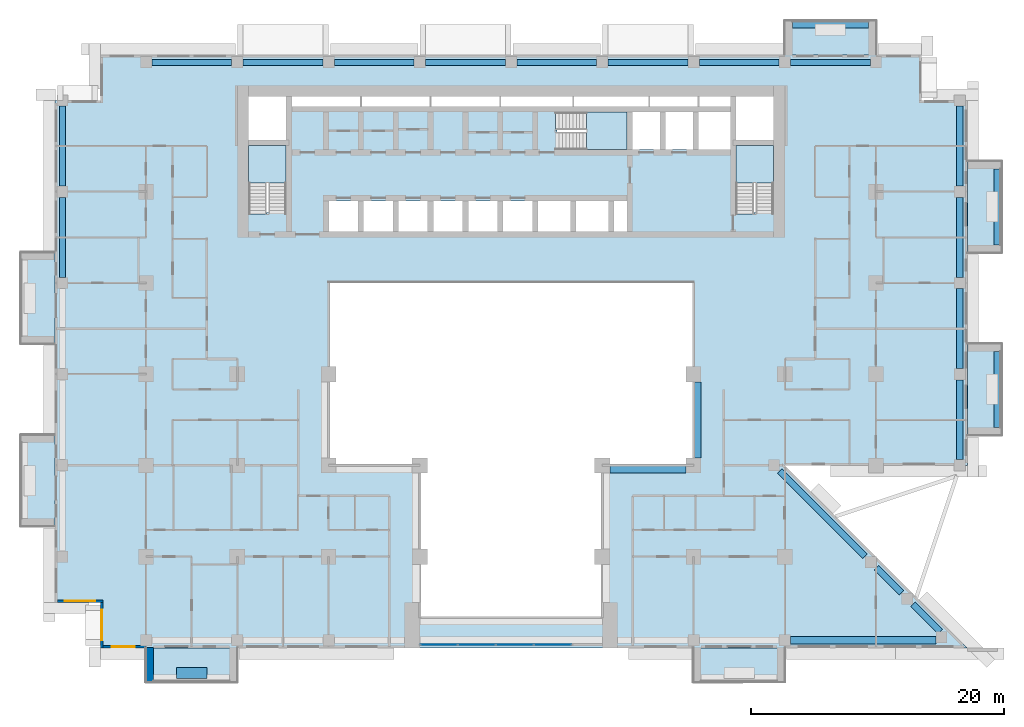
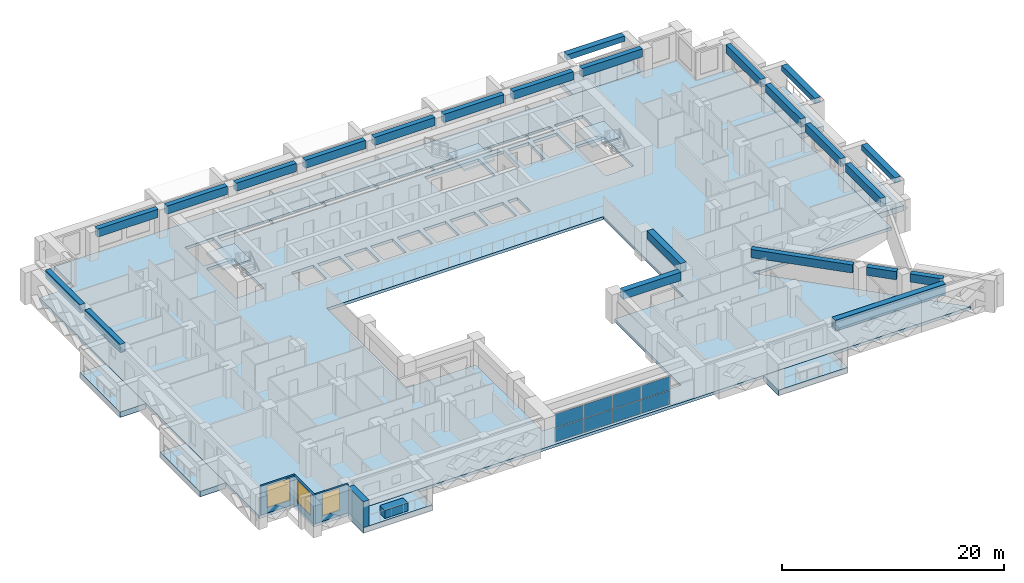
# One storey, part 5 of 17: 23 beams, 11 slabs, 8 plates, 5 walls, 3 windows, 3 openings, 4 elements without a shape of their own.
"""IFC4 building model written with IfcOpenShell, lengths in metres."""

from ifc_helpers import new_model, si_unit, direction, frame, frame_2d, origin, origin_2d, place, context, subcontext, project, spatial, polyline, rectangle, outline, extrude, source, transform, mapped, material, layer, layer_set, material_profile, profile_set, type_object, element, fill, aggregate, save


model = new_model("IFC4")

# Units and contexts
model_context = context("Model", 3, precision=1e-05, world=origin(), true_north=direction((0.0, 1.0)))
body_context = subcontext(model_context, "Body", "Model", "MODEL_VIEW")
ifc_project = project(units=[si_unit("LENGTHUNIT", "METRE"), si_unit("AREAUNIT", "SQUARE_METRE"), si_unit("VOLUMEUNIT", "CUBIC_METRE"), si_unit("PLANEANGLEUNIT", "RADIAN"), si_unit("MASSUNIT", "GRAM", prefix="KILO")], contexts=[model_context])

# Site, building, storey
site_placement = place(None, origin())
site = spatial("IfcSite", under=ifc_project, at=site_placement, CompositionType="ELEMENT")
building_placement = place(site_placement, origin())
building = spatial("IfcBuilding", under=site, at=building_placement, Name="Saffron Iwan Residences", CompositionType="ELEMENT")
storey_placement = place(building_placement, frame((0.0, 0.0, 93.5)))
storey = spatial("IfcBuildingStorey", under=building, at=storey_placement, Name="L24", CompositionType="ELEMENT", Elevation=93.5)

# Beams
ifc_material_1 = material(Name="Concrete C60/75", Category="concrete")
ifc_material_profile_1 = material_profile(ifc_material_1, rectangle(XDim=0.5, YDim=0.89990234375, at=origin_2d()), Name="RC 500x900")
ifc_profile_set_1 = profile_set([ifc_material_profile_1], Name="Concrete C60/75")
beam_type_1 = type_object("IfcBeamType", Name="SPANDREL BEAM RC 500x900 C60/75 TOP 3180", PredefinedType="SPANDREL", material=ifc_profile_set_1)
shared_shape_1 = source(origin(), body_context, "Body", "SweptSolid", [
    extrude(rectangle(XDim=0.5, YDim=0.89990234375, at=origin_2d()), origin(), (0.0, 0.0, 1.0), 6.300048828125),
])
for number, where, z_axis, x_axis, name in (
    (1, (85.800048828125, 54.75, 2.72998046875), (0.0, -1.0, 0.0), (1.0, 0.0, 0.0), "Spandrel beam"),
    (2, (85.800048828125, 61.949951171875, 2.72998046875), (0.0, -1.0, 0.0), (1.0, 0.0, 0.0), "Spandrel beam"),
    (3, (15.0, 70.050048828125, 2.72998046875), (0.0, 1.0, 0.0), (-1.0, 0.0, 0.0), "Spandrel beam"),
    (4, (85.800048828125, 76.35009765625, 2.72998046875), (0.0, -1.0, 0.0), (1.0, 0.0, 0.0), "Spandrel beam"),
    (5, (22.050048828125, 79.800048828125, 2.72998046875), (1.0, 0.0, 0.0), (0.0, 1.0, 0.0), "Spandrel beam"),
    (6, (29.25, 79.800048828125, 2.72998046875), (1.0, 0.0, 0.0), (0.0, 1.0, 0.0), "Spandrel beam"),
    (7, (36.449951171875, 79.800048828125, 2.72998046875), (1.0, 0.0, 0.0), (0.0, 1.0, 0.0), "Spandrel beam"),
    (8, (43.64990234375, 79.800048828125, 2.72998046875), (1.0, 0.0, 0.0), (0.0, 1.0, 0.0), "Spandrel beam"),
    (9, (58.050048828125, 79.800048828125, 2.72998046875), (1.0, 0.0, 0.0), (0.0, 1.0, 0.0), "Spandrel beam"),
    (10, (65.25, 79.800048828125, 2.72998046875), (1.0, 0.0, 0.0), (0.0, 1.0, 0.0), "Spandrel beam"),
    (11, (72.449951171875, 79.800048828125, 2.72998046875), (1.0, 0.0, 0.0), (0.0, 1.0, 0.0), "Spandrel beam"),
):
    element("IfcBeam", number, at=place(storey_placement, frame(where, z_axis=z_axis, x_axis=x_axis)), inside=storey, type_object=beam_type_1, Name=name, PredefinedType="SPANDREL", context=body_context, shape_type="MappedRepresentation", body=[
        mapped(shared_shape_1, transform((0.0, 0.0, 0.0))),
    ])
shared_shape_2 = source(origin(), body_context, "Body", "SweptSolid", [
    extrude(rectangle(XDim=0.5, YDim=0.89990234375, at=origin_2d()), origin(), (0.0, 0.0, 1.0), 3.046142578125),
])
beam_1_placement = place(storey_placement, frame((82.105712890625, 37.0458984375, 2.72998046875), z_axis=(0.707066705991, -0.70714685411, 0.0), x_axis=(0.70714685411, 0.707066705991, 0.0)))
element("IfcBeam", 12, at=beam_1_placement, inside=storey, type_object=beam_type_1, Name="Spandrel beam", PredefinedType="SPANDREL", context=body_context, shape_type="MappedRepresentation", body=[
    mapped(shared_shape_2, transform((0.0, 0.0, 0.0))),
])
shared_shape_3 = source(origin(), body_context, "Body", "SweptSolid", [
    extrude(rectangle(XDim=0.5, YDim=0.89990234375, at=origin_2d()), origin(), (0.0, 0.0, 1.0), 2.80029296875),
])
beam_2_placement = place(storey_placement, frame((79.2255859375, 39.92578125, 2.72998046875), z_axis=(0.707150371901, -0.707063187784, 0.0), x_axis=(0.707063187784, 0.707150371901, 0.0)))
element("IfcBeam", 13, at=beam_2_placement, inside=storey, type_object=beam_type_1, Name="Spandrel beam", PredefinedType="SPANDREL", context=body_context, shape_type="MappedRepresentation", body=[
    mapped(shared_shape_3, transform((0.0, 0.0, 0.0))),
])
shared_shape_4 = source(origin(), body_context, "Body", "SweptSolid", [
    extrude(rectangle(XDim=0.5, YDim=0.89990234375, at=origin_2d()), origin(), (0.0, 0.0, 1.0), 9.511474609375),
])
beam_3_placement = place(storey_placement, frame((71.60009765625, 47.551513671875, 2.72998046875), z_axis=(0.707093947217, -0.707119614923, 0.0), x_axis=(0.707119614923, 0.707093947217, 0.0)))
element("IfcBeam", 14, at=beam_3_placement, inside=storey, type_object=beam_type_1, Name="Spandrel beam", PredefinedType="SPANDREL", context=body_context, shape_type="MappedRepresentation", body=[
    mapped(shared_shape_4, transform((0.0, 0.0, 0.0))),
])
shared_shape_5 = source(origin(), body_context, "Body", "SweptSolid", [
    extrude(rectangle(XDim=0.5, YDim=0.89990234375, at=origin_2d()), origin(), (0.0, 0.0, 1.0), 6.2998046875),
])
for number, where, z_axis, x_axis, name in (
    (15, (15.0, 62.85009765625, 2.72998046875), (0.0, 1.0, 0.0), (-1.0, 0.0, 0.0), "Spandrel beam"),
    (16, (85.800048828125, 69.14990234375, 2.72998046875), (0.0, -1.0, 0.0), (1.0, 0.0, 0.0), "Spandrel beam"),
    (17, (50.85009765625, 79.800048828125, 2.72998046875), (1.0, 0.0, 0.0), (0.0, 1.0, 0.0), "Spandrel beam"),
):
    element("IfcBeam", number, at=place(storey_placement, frame(where, z_axis=z_axis, x_axis=x_axis)), inside=storey, type_object=beam_type_1, Name=name, PredefinedType="SPANDREL", context=body_context, shape_type="MappedRepresentation", body=[
        mapped(shared_shape_5, transform((0.0, 0.0, 0.0))),
    ])
ifc_material_profile_2 = material_profile(ifc_material_1, rectangle(XDim=0.60009765625, YDim=1.199951171875, at=origin_2d()), Name="RC 600x1200")
ifc_profile_set_2 = profile_set([ifc_material_profile_2], Name="Concrete C60/75")
beam_type_2 = type_object("IfcBeamType", Name="LINTEL BEAM RC 600x1200 C60/75 TOP 3180", PredefinedType="LINTEL", material=ifc_profile_set_2)
shared_shape_6 = source(origin(), body_context, "Body", "SweptSolid", [
    extrude(rectangle(XDim=0.60009765625, YDim=1.199951171875, at=origin_2d()), origin(), (0.0, 0.0, 1.0), 11.467529296875),
])
beam_4_placement = place(storey_placement, frame((83.91748046875, 34.199951171875, 2.580078125), z_axis=(-1.0, 0.0, 0.0), x_axis=(0.0, -1.0, 0.0)))
element("IfcBeam", 18, at=beam_4_placement, inside=storey, type_object=beam_type_2, Name="Lintel beam over the iwan", PredefinedType="LINTEL", context=body_context, shape_type="MappedRepresentation", body=[
    mapped(shared_shape_6, transform((0.0, 0.0, 0.0))),
])
ifc_material_profile_3 = material_profile(ifc_material_1, rectangle(XDim=0.60009765625, YDim=0.89990234375, at=origin_2d()), Name="RC 600x900")
ifc_profile_set_3 = profile_set([ifc_material_profile_3], Name="Concrete C60/75")
beam_type_3 = type_object("IfcBeamType", Name="BEAM RC 600x900 C60/75 TOP 3180", PredefinedType="BEAM", material=ifc_profile_set_3)
shared_shape_7 = source(origin(), body_context, "Body", "SweptSolid", [
    extrude(rectangle(XDim=0.60009765625, YDim=0.89990234375, at=origin_2d()), origin(), (0.0, 0.0, 1.0), 6.0),
])
for number, where, z_axis, x_axis, name in (
    (19, (64.199951171875, 47.699951171875, 2.72998046875), (-1.0, 0.0, 0.0), (0.0, -1.0, 0.0), "Atrium edge beam"),
    (20, (65.10009765625, 54.60009765625, 2.72998046875), (0.0, -1.0, 0.0), (1.0, 0.0, 0.0), "Atrium edge beam"),
):
    element("IfcBeam", number, at=place(storey_placement, frame(where, z_axis=z_axis, x_axis=x_axis)), inside=storey, type_object=beam_type_3, Name=name, PredefinedType="BEAM", context=body_context, shape_type="MappedRepresentation", body=[
        mapped(shared_shape_7, transform((0.0, 0.0, 0.0))),
    ])
ifc_material_2 = material(Name="Concrete C50/60 white painted", Category="concrete")
ifc_material_profile_4 = material_profile(ifc_material_2, rectangle(XDim=0.60009765625, YDim=0.60009765625, at=origin_2d()), Name="BALCONY FASCIA BEAM 600 x 600")
ifc_profile_set_4 = profile_set([ifc_material_profile_4], Name="Concrete C50/60 white painted")
beam_type_4 = type_object("IfcBeamType", Name="BALCONY FASCIA BEAM 600 x 600", PredefinedType="BEAM", material=ifc_profile_set_4)
shared_shape_8 = source(origin(), body_context, "Body", "SweptSolid", [
    extrude(rectangle(XDim=0.60009765625, YDim=0.60009765625, at=origin_2d()), origin(), (0.0, 0.0, 1.0), 6.0),
])
for number, where, z_axis, x_axis, name in (
    (21, (88.800048828125, 51.0, 2.550048828125), (0.0, 1.0, 0.0), (-1.0, 0.0, 0.0), "Balcony fascia beam L24 F2-0"),
    (22, (88.800048828125, 65.39990234375, 2.550048828125), (0.0, 1.0, 0.0), (-1.0, 0.0, 0.0), "Balcony fascia beam L24 F2-1"),
    (23, (78.60009765625, 82.800048828125, 2.550048828125), (-1.0, 0.0, 0.0), (0.0, -1.0, 0.0), "Balcony fascia beam L24 F5-0"),
):
    element("IfcBeam", number, at=place(storey_placement, frame(where, z_axis=z_axis, x_axis=x_axis)), inside=storey, type_object=beam_type_4, Name=name, PredefinedType="BEAM", context=body_context, shape_type="MappedRepresentation", body=[
        mapped(shared_shape_8, transform((0.0, 0.0, 0.0))),
    ])

# Slabs
ifc_layer_1 = layer(ifc_material_2, 0.60009765625)
ifc_layer_set_1 = layer_set([ifc_layer_1], Name="Concrete C50/60 white painted")
slab_type_1 = type_object("IfcSlabType", Name="BALCONY FRAME SLAB 600", PredefinedType="FLOOR", material=ifc_layer_set_1)
slab_1_placement = place(storey_placement, frame((0.0, 0.0, -0.60009765625)))
element("IfcSlab", 24, at=slab_1_placement, inside=storey, type_object=slab_type_1, Name="Balcony frame slab L24 F2-0", PredefinedType="FLOOR", context=body_context, shape_type="SweptSolid", body=[
    extrude(outline(polyline([(89.10009765625, 50.39990234375), (89.10009765625, 57.60009765625), (86.39990234375, 57.60009765625), (86.39990234375, 50.39990234375), (89.10009765625, 50.39990234375)])), origin(), (0.0, 0.0, 1.0), 0.60009765625),
])
slab_2_placement = place(storey_placement, frame((0.0, 0.0, -0.60009765625)))
element("IfcSlab", 25, at=slab_2_placement, inside=storey, type_object=slab_type_1, Name="Balcony frame slab L24 F2-1", PredefinedType="FLOOR", context=body_context, shape_type="SweptSolid", body=[
    extrude(outline(polyline([(89.10009765625, 64.800048828125), (89.10009765625, 72.0), (86.39990234375, 72.0), (86.39990234375, 64.800048828125), (89.10009765625, 64.800048828125)])), origin(), (0.0, 0.0, 1.0), 0.60009765625),
])
slab_3_placement = place(storey_placement, frame((0.0, 0.0, -0.60009765625)))
element("IfcSlab", 26, at=slab_3_placement, inside=storey, type_object=slab_type_1, Name="Balcony frame slab L24 F5-0", PredefinedType="FLOOR", context=body_context, shape_type="SweptSolid", body=[
    extrude(outline(polyline([(79.199951171875, 83.10009765625), (72.0, 83.10009765625), (72.0, 80.39990234375), (79.199951171875, 80.39990234375), (79.199951171875, 83.10009765625)])), origin(), (0.0, 0.0, 1.0), 0.60009765625),
])
slab_4_placement = place(storey_placement, frame((0.0, 0.0, -0.60009765625)))
element("IfcSlab", 27, at=slab_4_placement, inside=storey, type_object=slab_type_1, Name="Balcony frame slab L24 F8-0", PredefinedType="FLOOR", context=body_context, shape_type="SweptSolid", body=[
    extrude(outline(polyline([(11.699951171875, 64.800048828125), (11.699951171875, 57.60009765625), (14.39990234375, 57.60009765625), (14.39990234375, 64.800048828125), (11.699951171875, 64.800048828125)])), origin(), (0.0, 0.0, 1.0), 0.60009765625),
])
slab_5_placement = place(storey_placement, frame((0.0, 0.0, -0.60009765625)))
element("IfcSlab", 28, at=slab_5_placement, inside=storey, type_object=slab_type_1, Name="Balcony frame slab L24 F8-1", PredefinedType="FLOOR", context=body_context, shape_type="SweptSolid", body=[
    extrude(outline(polyline([(11.699951171875, 50.39990234375), (11.699951171875, 43.199951171875), (14.39990234375, 43.199951171875), (14.39990234375, 50.39990234375), (11.699951171875, 50.39990234375)])), origin(), (0.0, 0.0, 1.0), 0.60009765625),
])
slab_6_placement = place(storey_placement, frame((0.0, 0.0, -0.60009765625)))
element("IfcSlab", 29, at=slab_6_placement, inside=storey, type_object=slab_type_1, Name="Balcony frame slab L24 11-0", PredefinedType="FLOOR", context=body_context, shape_type="SweptSolid", body=[
    extrude(outline(polyline([(21.60009765625, 30.89990234375), (28.800048828125, 30.89990234375), (28.800048828125, 33.60009765625), (21.60009765625, 33.60009765625), (21.60009765625, 30.89990234375)])), origin(), (0.0, 0.0, 1.0), 0.60009765625),
])
slab_7_placement = place(storey_placement, frame((0.0, 0.0, -0.60009765625)))
element("IfcSlab", 30, at=slab_7_placement, inside=storey, type_object=slab_type_1, Name="Balcony frame slab L24 11-1", PredefinedType="FLOOR", context=body_context, shape_type="SweptSolid", body=[
    extrude(outline(polyline([(64.800048828125, 30.89990234375), (72.0, 30.89990234375), (72.0, 33.60009765625), (64.800048828125, 33.60009765625), (64.800048828125, 30.89990234375)])), origin(), (0.0, 0.0, 1.0), 0.60009765625),
])
ifc_material_3 = material(Name="Concrete C40/50", Category="concrete")
ifc_layer_2 = layer(ifc_material_3, 0.320068359375)
ifc_layer_set_2 = layer_set([ifc_layer_2], Name="Concrete C40/50")
slab_type_2 = type_object("IfcSlabType", Name="PT PLATE 320 C40/50", PredefinedType="FLOOR", material=ifc_layer_set_2)
slab_8_placement = place(storey_placement, frame((0.0, 0.0, -0.320068359375)))
element("IfcSlab", 31, at=slab_8_placement, inside=storey, type_object=slab_type_2, Name="Floor slab L24", PredefinedType="FLOOR", context=body_context, shape_type="SweptSolid", body=[
    extrude(outline(polyline([(14.39990234375, 37.199951171875), (14.39990234375, 76.800048828125), (18.0, 76.800048828125), (18.0, 80.39990234375), (82.800048828125, 80.39990234375), (82.800048828125, 76.800048828125), (86.39990234375, 76.800048828125), (86.39990234375, 48.0), (72.0, 48.0), (86.39990234375, 33.60009765625), (18.0, 33.60009765625), (18.0, 37.199951171875), (14.39990234375, 37.199951171875)]), holes=[polyline([(64.800048828125, 48.0), (64.800048828125, 62.39990234375), (36.0, 62.39990234375), (36.0, 48.0), (43.199951171875, 48.0), (43.199951171875, 36.0), (57.60009765625, 36.0), (57.60009765625, 48.0), (64.800048828125, 48.0)]), polyline([(38.324951171875, 68.875), (36.02490234375, 68.875), (36.02490234375, 66.449951171875), (38.324951171875, 66.449951171875), (38.324951171875, 68.875)]), polyline([(41.074951171875, 66.449951171875), (41.074951171875, 68.875), (38.77490234375, 68.875), (38.77490234375, 66.449951171875), (41.074951171875, 66.449951171875)]), polyline([(43.824951171875, 66.449951171875), (43.824951171875, 68.875), (41.52490234375, 68.875), (41.52490234375, 66.449951171875), (43.824951171875, 66.449951171875)]), polyline([(46.574951171875, 68.875), (44.27490234375, 68.875), (44.27490234375, 66.449951171875), (46.574951171875, 66.449951171875), (46.574951171875, 68.875)]), polyline([(49.324951171875, 66.449951171875), (49.324951171875, 68.875), (47.02490234375, 68.875), (47.02490234375, 66.449951171875), (49.324951171875, 66.449951171875)]), polyline([(52.074951171875, 66.449951171875), (52.074951171875, 68.875), (49.77490234375, 68.875), (49.77490234375, 66.449951171875), (52.074951171875, 66.449951171875)]), polyline([(29.699951171875, 73.25), (29.699951171875, 67.949951171875), (29.699951171875, 67.8505859375), (31.10009765625, 67.8505859375), (31.10009765625, 67.949951171875), (32.64990234375, 67.949951171875), (32.64990234375, 73.25), (29.699951171875, 73.25)]), polyline([(32.64990234375, 73.699951171875), (32.64990234375, 77.10009765625), (29.699951171875, 77.10009765625), (29.699951171875, 73.699951171875), (32.64990234375, 73.699951171875)]), polyline([(38.5, 76.324951171875), (38.5, 77.10009765625), (33.10009765625, 77.10009765625), (33.10009765625, 76.324951171875), (38.5, 76.324951171875)]), polyline([(44.0, 77.10009765625), (38.60009765625, 77.10009765625), (38.60009765625, 76.324951171875), (44.0, 76.324951171875), (44.0, 77.10009765625)]), polyline([(49.5, 76.324951171875), (49.5, 77.10009765625), (44.10009765625, 77.10009765625), (44.10009765625, 76.324951171875), (49.5, 76.324951171875)]), polyline([(55.25, 76.324951171875), (55.25, 77.10009765625), (49.60009765625, 77.10009765625), (49.60009765625, 76.324951171875), (55.25, 76.324951171875)]), polyline([(55.074951171875, 68.875), (52.52490234375, 68.875), (52.52490234375, 66.449951171875), (55.074951171875, 66.449951171875), (55.074951171875, 68.875)]), polyline([(58.074951171875, 66.449951171875), (58.074951171875, 68.875), (55.52490234375, 68.875), (55.52490234375, 66.449951171875), (58.074951171875, 66.449951171875)]), polyline([(59.550048828125, 66.449951171875), (59.550048828125, 68.875), (58.52490234375, 68.875), (58.52490234375, 66.449951171875), (59.550048828125, 66.449951171875)]), polyline([(68.14990234375, 73.25), (68.14990234375, 67.949951171875), (68.14990234375, 67.8505859375), (69.550048828125, 67.8505859375), (69.550048828125, 67.949951171875), (71.10009765625, 67.949951171875), (71.10009765625, 73.25), (68.14990234375, 73.25)]), polyline([(53.925537109375, 74.47509765625), (54.02490234375, 74.47509765625), (54.02490234375, 72.925048828125), (59.550048828125, 72.925048828125), (59.550048828125, 75.875), (54.02490234375, 75.875), (53.925537109375, 75.875), (53.925537109375, 74.47509765625)]), polyline([(62.14990234375, 72.925048828125), (62.14990234375, 75.875), (60.0, 75.875), (60.0, 72.925048828125), (62.14990234375, 72.925048828125)]), polyline([(64.75, 75.875), (62.60009765625, 75.875), (62.60009765625, 72.925048828125), (64.75, 72.925048828125), (64.75, 75.875)]), polyline([(67.699951171875, 72.925048828125), (67.699951171875, 75.875), (65.199951171875, 75.875), (65.199951171875, 72.925048828125), (67.699951171875, 72.925048828125)]), polyline([(71.10009765625, 73.699951171875), (71.10009765625, 77.10009765625), (68.14990234375, 77.10009765625), (68.14990234375, 73.699951171875), (71.10009765625, 73.699951171875)]), polyline([(61.25, 77.10009765625), (55.35009765625, 77.10009765625), (55.35009765625, 76.324951171875), (61.25, 76.324951171875), (61.25, 77.10009765625)]), polyline([(65.14990234375, 76.324951171875), (65.14990234375, 77.10009765625), (61.35009765625, 77.10009765625), (61.35009765625, 76.324951171875), (65.14990234375, 76.324951171875)]), polyline([(67.699951171875, 76.324951171875), (67.699951171875, 77.10009765625), (65.25, 77.10009765625), (65.25, 76.324951171875), (67.699951171875, 76.324951171875)])]), origin(), (0.0, 0.0, 1.0), 0.320068359375),
])

# Stair, slab
ifc_material_4 = material(Name="Concrete C50/60", Category="concrete")
stair_type = type_object("IfcStairType", Name="Stair ST-CORE", PredefinedType="HALF_TURN_STAIR", material=ifc_material_4)
stair_1_placement = place(storey_placement, origin())
stair_1 = element("IfcStair", 32, at=stair_1_placement, inside=storey, type_object=stair_type, Name="L24 Exit Stair ST-W", PredefinedType="HALF_TURN_STAIR")
ifc_layer_3 = layer(ifc_material_4, 0.199951171875)
ifc_layer_set_3 = layer_set([ifc_layer_3], Name="Concrete C50/60")
slab_type_3 = type_object("IfcSlabType", Name="Stair landing SL-RC", PredefinedType="LANDING", material=ifc_layer_set_3)
slab_9_placement = place(storey_placement, frame((0.0, 0.0, 1.5498046875)))
slab_9 = element("IfcSlab", 33, at=slab_9_placement, type_object=slab_type_3, Name="ST-W landing 1", PredefinedType="LANDING", context=body_context, shape_type="SweptSolid", body=[
    extrude(outline(polyline([(32.64990234375, 70.280029296875), (32.64990234375, 73.25), (29.699951171875, 73.25), (29.699951171875, 70.280029296875), (32.64990234375, 70.280029296875)])), origin(), (0.0, 0.0, 1.0), 0.2001953125),
])
aggregate(stair_1, [slab_9])

stair_2_placement = place(storey_placement, origin())
stair_2 = element("IfcStair", 34, at=stair_2_placement, inside=storey, type_object=stair_type, Name="L24 Exit Stair ST-C", PredefinedType="HALF_TURN_STAIR")
slab_10_placement = place(storey_placement, frame((0.0, 0.0, 1.5498046875)))
slab_10 = element("IfcSlab", 35, at=slab_10_placement, type_object=slab_type_3, Name="ST-C landing 1", PredefinedType="LANDING", context=body_context, shape_type="SweptSolid", body=[
    extrude(outline(polyline([(56.35498046875, 72.925048828125), (59.550048828125, 72.925048828125), (59.550048828125, 75.875), (56.35498046875, 75.875), (56.35498046875, 72.925048828125)])), origin(), (0.0, 0.0, 1.0), 0.2001953125),
])
aggregate(stair_2, [slab_10])

stair_3_placement = place(storey_placement, origin())
stair_3 = element("IfcStair", 36, at=stair_3_placement, inside=storey, type_object=stair_type, Name="L24 Exit Stair ST-E", PredefinedType="HALF_TURN_STAIR")
slab_11_placement = place(storey_placement, frame((0.0, 0.0, 1.5498046875)))
slab_11 = element("IfcSlab", 37, at=slab_11_placement, type_object=slab_type_3, Name="ST-E landing 1", PredefinedType="LANDING", context=body_context, shape_type="SweptSolid", body=[
    extrude(outline(polyline([(71.10009765625, 70.280029296875), (71.10009765625, 73.25), (68.14990234375, 73.25), (68.14990234375, 70.280029296875), (71.10009765625, 70.280029296875)])), origin(), (0.0, 0.0, 1.0), 0.2001953125),
])
aggregate(stair_3, [slab_11])

# Curtain wall, plates
ifc_material_5 = material(Name="Clear glass, laminated double glazed", Category="glass")
ifc_layer_4 = layer(ifc_material_5, 0.199951171875)
ifc_layer_set_4 = layer_set([ifc_layer_4], Name="Clear glass, laminated double glazed")
curtain_wall_type = type_object("IfcCurtainWallType", Name="CW-B IWAN PORTAL", PredefinedType="NOTDEFINED", material=ifc_layer_set_4)
curtain_wall_placement = place(storey_placement, origin())
curtain_wall = element("IfcCurtainWall", 38, at=curtain_wall_placement, inside=storey, type_object=curtain_wall_type, Name="Iwan portal glazing L24.1", PredefinedType="NOTDEFINED")
ifc_layer_5 = layer(ifc_material_5, 0.028076171875)
ifc_layer_set_5 = layer_set([ifc_layer_5], Name="Clear glass, laminated double glazed")
plate_type = type_object("IfcPlateType", Name="CW-B PANEL 28", PredefinedType="CURTAIN_PANEL", material=ifc_layer_set_5)
shared_shape_9 = source(origin(), body_context, "Body", "SweptSolid", [
    extrude(rectangle(XDim=2.909912109375, YDim=0.028076171875, at=origin_2d()), origin(), (0.0, 0.0, 1.0), 1.5),
])
plate_1_placement = place(storey_placement, frame((44.715087890625, 33.85009765625, 0.06005859375), z_axis=(0.0, 0.0, 1.0), x_axis=(1.0, 0.0, 0.0)))
plate_1 = element("IfcPlate", 39, at=plate_1_placement, type_object=plate_type, Name="CW-B panel 1.1", PredefinedType="CURTAIN_PANEL", context=body_context, shape_type="MappedRepresentation", body=[
    mapped(shared_shape_9, transform((0.0, 0.0, 0.0))),
])
plate_2_placement = place(storey_placement, frame((44.715087890625, 33.85009765625, 1.6201171875), z_axis=(0.0, 0.0, 1.0), x_axis=(1.0, 0.0, 0.0)))
plate_2 = element("IfcPlate", 40, at=plate_2_placement, type_object=plate_type, Name="CW-B panel 1.2", PredefinedType="CURTAIN_PANEL", context=body_context, shape_type="MappedRepresentation", body=[
    mapped(shared_shape_9, transform((0.0, 0.0, 0.0))),
])
plate_3_placement = place(storey_placement, frame((53.68505859375, 33.85009765625, 0.06005859375), z_axis=(0.0, 0.0, 1.0), x_axis=(1.0, 0.0, 0.0)))
plate_3 = element("IfcPlate", 41, at=plate_3_placement, type_object=plate_type, Name="CW-B panel 4.1", PredefinedType="CURTAIN_PANEL", context=body_context, shape_type="MappedRepresentation", body=[
    mapped(shared_shape_9, transform((0.0, 0.0, 0.0))),
])
plate_4_placement = place(storey_placement, frame((53.68505859375, 33.85009765625, 1.6201171875), z_axis=(0.0, 0.0, 1.0), x_axis=(1.0, 0.0, 0.0)))
plate_4 = element("IfcPlate", 42, at=plate_4_placement, type_object=plate_type, Name="CW-B panel 4.2", PredefinedType="CURTAIN_PANEL", context=body_context, shape_type="MappedRepresentation", body=[
    mapped(shared_shape_9, transform((0.0, 0.0, 0.0))),
])
shared_shape_10 = source(origin(), body_context, "Body", "SweptSolid", [
    extrude(rectangle(XDim=2.93994140625, YDim=0.028076171875, at=origin_2d()), origin(), (0.0, 0.0, 1.0), 1.5),
])
plate_5_placement = place(storey_placement, frame((47.699951171875, 33.85009765625, 0.06005859375), z_axis=(0.0, 0.0, 1.0), x_axis=(1.0, 0.0, 0.0)))
plate_5 = element("IfcPlate", 43, at=plate_5_placement, type_object=plate_type, Name="CW-B panel 2.1", PredefinedType="CURTAIN_PANEL", context=body_context, shape_type="MappedRepresentation", body=[
    mapped(shared_shape_10, transform((0.0, 0.0, 0.0))),
])
plate_6_placement = place(storey_placement, frame((47.699951171875, 33.85009765625, 1.6201171875), z_axis=(0.0, 0.0, 1.0), x_axis=(1.0, 0.0, 0.0)))
plate_6 = element("IfcPlate", 44, at=plate_6_placement, type_object=plate_type, Name="CW-B panel 2.2", PredefinedType="CURTAIN_PANEL", context=body_context, shape_type="MappedRepresentation", body=[
    mapped(shared_shape_10, transform((0.0, 0.0, 0.0))),
])
plate_7_placement = place(storey_placement, frame((50.699951171875, 33.85009765625, 0.06005859375), z_axis=(0.0, 0.0, 1.0), x_axis=(1.0, 0.0, 0.0)))
plate_7 = element("IfcPlate", 45, at=plate_7_placement, type_object=plate_type, Name="CW-B panel 3.1", PredefinedType="CURTAIN_PANEL", context=body_context, shape_type="MappedRepresentation", body=[
    mapped(shared_shape_10, transform((0.0, 0.0, 0.0))),
])
plate_8_placement = place(storey_placement, frame((50.699951171875, 33.85009765625, 1.6201171875), z_axis=(0.0, 0.0, 1.0), x_axis=(1.0, 0.0, 0.0)))
plate_8 = element("IfcPlate", 46, at=plate_8_placement, type_object=plate_type, Name="CW-B panel 3.2", PredefinedType="CURTAIN_PANEL", context=body_context, shape_type="MappedRepresentation", body=[
    mapped(shared_shape_10, transform((0.0, 0.0, 0.0))),
])
aggregate(curtain_wall, [plate_1, plate_2, plate_5, plate_6, plate_7, plate_8, plate_3, plate_4])

# Walls
ifc_layer_6 = layer(ifc_material_2, 0.60009765625)
ifc_layer_set_6 = layer_set([ifc_layer_6], Name="Concrete C50/60 white painted")
wall_type_1 = type_object("IfcWallType", Name="BALCONY FIN 600", PredefinedType="SOLIDWALL", material=ifc_layer_set_6)
wall_1_placement = place(storey_placement, frame((21.89990234375, 33.64990234375, 0.0), z_axis=(0.0, 0.0, 1.0), x_axis=(0.0, -1.0, 0.0)))
element("IfcWall", 47, at=wall_1_placement, inside=storey, type_object=wall_type_1, Name="Balcony fin L24 11-0a", PredefinedType="SOLIDWALL", context=body_context, shape_type="SweptSolid", body=[
    extrude(rectangle(XDim=2.75, YDim=0.60009765625, at=frame_2d((1.375, 0.0))), origin(), (0.0, 0.0, 1.0), 2.85009765625),
])
ifc_material_6 = material(Name="Concrete C35/45 white painted", Category="concrete")
ifc_layer_7 = layer(ifc_material_6, 0.14990234375)
ifc_layer_set_7 = layer_set([ifc_layer_7], Name="Concrete C35/45 white painted")
wall_type_2 = type_object("IfcWallType", Name="BALCONY PLANTER", PredefinedType="SOLIDWALL", material=ifc_layer_set_7)
wall_2_placement = place(storey_placement, frame((24.0, 31.625, 0.0), z_axis=(0.0, 0.0, 1.0), x_axis=(1.0, 0.0, 0.0)))
element("IfcWall", 48, at=wall_2_placement, inside=storey, type_object=wall_type_2, Name="PLANTER L24 11-0", PredefinedType="SOLIDWALL", context=body_context, shape_type="SweptSolid", body=[
    extrude(rectangle(XDim=2.39990234375, YDim=0.89990234375, at=frame_2d((1.199951171875, 0.0))), origin(), (0.0, 0.0, 1.0), 0.89990234375),
])

# Wall, opening, window
ifc_layer_8 = layer(ifc_material_3, 0.199951171875)
ifc_layer_set_8 = layer_set([ifc_layer_8], Name="Concrete C40/50")
wall_type_3 = type_object("IfcWallType", Name="EXTERNAL WALL 200", PredefinedType="SOLIDWALL", material=ifc_layer_set_8)
wall_3_placement = place(storey_placement, frame((14.60009765625, 37.300048828125, 0.0), z_axis=(0.0, 0.0, 1.0), x_axis=(1.0, 0.0, 0.0)))
wall_3 = element("IfcWall", 49, at=wall_3_placement, inside=storey, type_object=wall_type_3, Name="External wall L24 F9.0", PredefinedType="SOLIDWALL", context=body_context, shape_type="SweptSolid", body=[
    extrude(rectangle(XDim=3.599853515625, YDim=0.199951171875, at=frame_2d((1.7998046875, 0.0))), origin(), (0.0, 0.0, 1.0), 3.179931640625),
])
opening_1_placement = place(wall_3_placement, frame((0.60009765625, 0.0, 0.60009765625)))
opening_1 = element("IfcOpeningElement", 50, at=opening_1_placement, cuts=wall_3, Name="Opening W1", PredefinedType="OPENING", context=body_context, shape_type="SweptSolid", body=[
    extrude(rectangle(XDim=2.39990234375, YDim=2.39990234375, at=frame_2d((1.199951171875, 1.199951171875))), frame((0.0, 0.10986328125, 0.0), z_axis=(0.0, -1.0, 0.0), x_axis=(1.0, 0.0, 0.0)), (0.0, 0.0, 1.0), 0.219970703125),
])
window_type_1 = type_object("IfcWindowType", Name="WINDOW 2400 x 2400", PartitioningType="DOUBLE_PANEL_VERTICAL", PredefinedType="WINDOW", material=ifc_material_5)
window_1_placement = place(opening_1_placement, origin())
window_1 = element("IfcWindow", 51, at=window_1_placement, inside=storey, type_object=window_type_1, Name="Window L24 F9.0", OverallHeight=2.39990234375, OverallWidth=2.39990234375, PartitioningType="DOUBLE_PANEL_VERTICAL", PredefinedType="WINDOW", context=body_context, shape_type="SweptSolid", body=[
    extrude(rectangle(XDim=2.39990234375, YDim=2.39990234375, at=frame_2d((1.199951171875, 1.199951171875))), frame((0.0, 0.030029296875, 0.0), z_axis=(0.0, -1.0, 0.0), x_axis=(1.0, 0.0, 0.0)), (0.0, 0.0, 1.0), 0.06005859375),
])
fill(opening_1, window_1)

wall_4_placement = place(storey_placement, frame((18.10009765625, 37.199951171875, 0.0), z_axis=(0.0, 0.0, 1.0), x_axis=(0.0, -1.0, 0.0)))
wall_4 = element("IfcWall", 52, at=wall_4_placement, inside=storey, type_object=wall_type_3, Name="External wall L24 F10.0", PredefinedType="SOLIDWALL", context=body_context, shape_type="SweptSolid", body=[
    extrude(rectangle(XDim=3.599853515625, YDim=0.199951171875, at=frame_2d((1.7998046875, 0.0))), origin(), (0.0, 0.0, 1.0), 3.179931640625),
])
opening_2_placement = place(wall_4_placement, frame((0.60009765625, 0.0, 0.60009765625)))
opening_2 = element("IfcOpeningElement", 53, at=opening_2_placement, cuts=wall_4, Name="Opening W1", PredefinedType="OPENING", context=body_context, shape_type="SweptSolid", body=[
    extrude(rectangle(XDim=2.39990234375, YDim=2.39990234375, at=frame_2d((1.199951171875, 1.199951171875))), frame((0.0, 0.10986328125, 0.0), z_axis=(0.0, -1.0, 0.0), x_axis=(1.0, 0.0, 0.0)), (0.0, 0.0, 1.0), 0.219970703125),
])
window_2_placement = place(opening_2_placement, origin())
window_2 = element("IfcWindow", 54, at=window_2_placement, inside=storey, type_object=window_type_1, Name="Window L24 F10.0", OverallHeight=2.39990234375, OverallWidth=2.39990234375, PartitioningType="DOUBLE_PANEL_VERTICAL", PredefinedType="WINDOW", context=body_context, shape_type="SweptSolid", body=[
    extrude(rectangle(XDim=2.39990234375, YDim=2.39990234375, at=frame_2d((1.199951171875, 1.199951171875))), frame((0.0, 0.030029296875, 0.0), z_axis=(0.0, -1.0, 0.0), x_axis=(1.0, 0.0, 0.0)), (0.0, 0.0, 1.0), 0.06005859375),
])
fill(opening_2, window_2)

wall_5_placement = place(storey_placement, frame((18.199951171875, 33.699951171875, 0.0), z_axis=(0.0, 0.0, 1.0), x_axis=(1.0, 0.0, 0.0)))
wall_5 = element("IfcWall", 55, at=wall_5_placement, inside=storey, type_object=wall_type_3, Name="External wall L24 F11.0", PredefinedType="SOLIDWALL", context=body_context, shape_type="SweptSolid", body=[
    extrude(rectangle(XDim=3.400146484375, YDim=0.199951171875, at=frame_2d((1.7001953125, 0.0))), origin(), (0.0, 0.0, 1.0), 3.179931640625),
])
opening_3_placement = place(wall_5_placement, frame((0.699951171875, 0.0, 0.60009765625)))
opening_3 = element("IfcOpeningElement", 56, at=opening_3_placement, cuts=wall_5, Name="Opening W8", PredefinedType="OPENING", context=body_context, shape_type="SweptSolid", body=[
    extrude(rectangle(XDim=1.800048828125, YDim=2.39990234375, at=frame_2d((0.89990234375, 1.199951171875))), frame((0.0, 0.10986328125, 0.0), z_axis=(0.0, -1.0, 0.0), x_axis=(1.0, 0.0, 0.0)), (0.0, 0.0, 1.0), 0.219970703125),
])
window_type_2 = type_object("IfcWindowType", Name="WINDOW 1800 x 2400", PartitioningType="DOUBLE_PANEL_VERTICAL", PredefinedType="WINDOW", material=ifc_material_5)
window_3_placement = place(opening_3_placement, origin())
window_3 = element("IfcWindow", 57, at=window_3_placement, inside=storey, type_object=window_type_2, Name="Window L24 F11.0", OverallHeight=2.39990234375, OverallWidth=1.800048828125, PartitioningType="DOUBLE_PANEL_VERTICAL", PredefinedType="WINDOW", context=body_context, shape_type="SweptSolid", body=[
    extrude(rectangle(XDim=1.800048828125, YDim=2.39990234375, at=frame_2d((0.89990234375, 1.199951171875))), frame((0.0, 0.030029296875, 0.0), z_axis=(0.0, -1.0, 0.0), x_axis=(1.0, 0.0, 0.0)), (0.0, 0.0, 1.0), 0.06005859375),
])
fill(opening_3, window_3)

save(model, "model.ifc")
